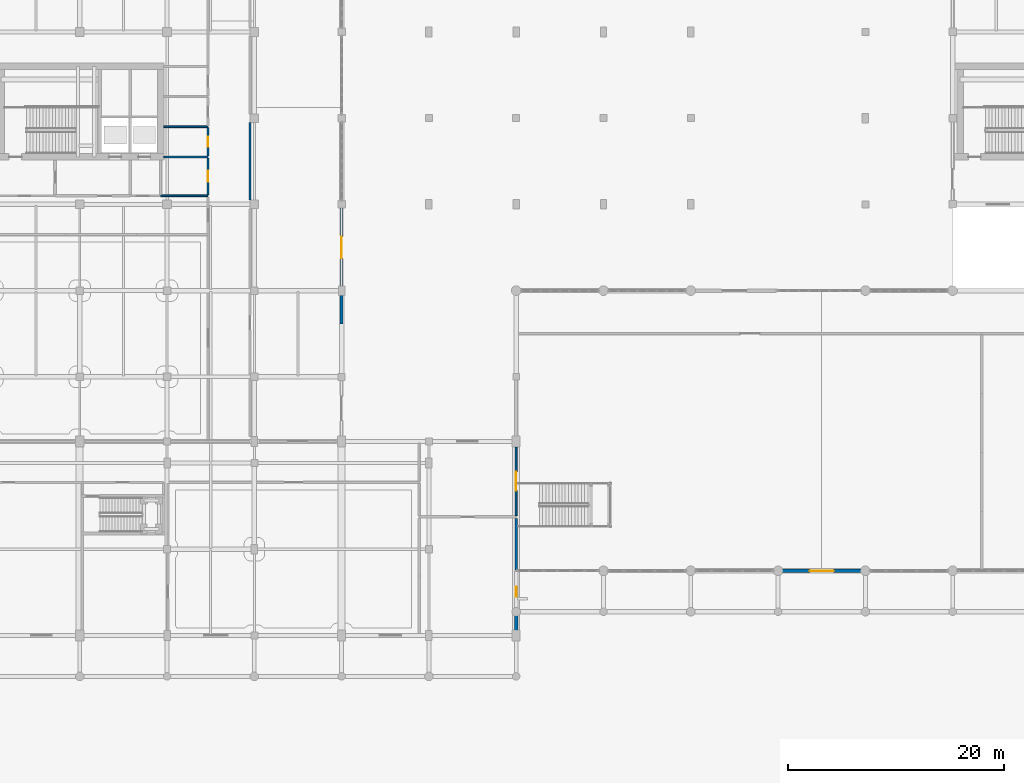
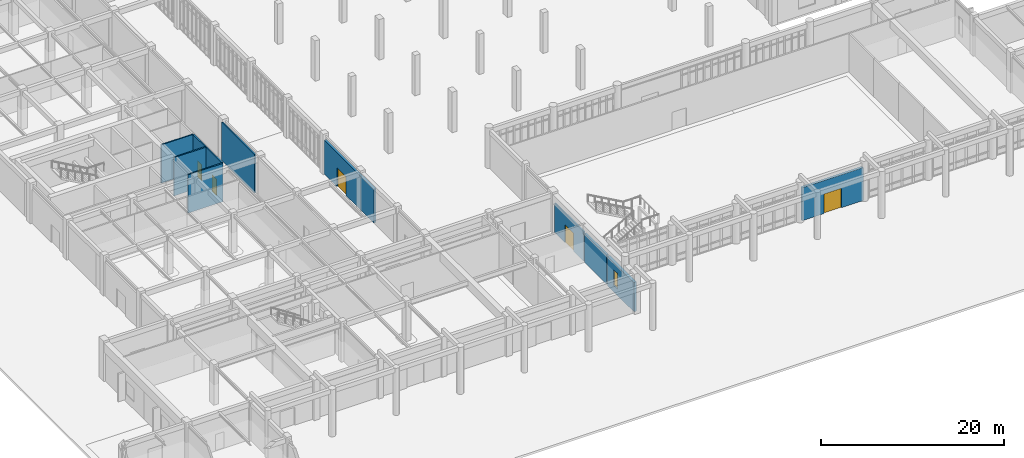
# One storey, part 43 of 62: 11 walls, 5 doors, 1 window, 6 openings.
"""IFC4 building model written with IfcOpenShell, lengths in metres."""

from ifc_helpers import new_model, si_unit, direction, frame, frame_2d, origin, place, context, subcontext, project, spatial, rectangle, extrude, material, layer, layer_set, type_object, element, fill, save


model = new_model("IFC4")

# Units and contexts
model_context = context("Model", 3, precision=1e-05, world=origin(), true_north=direction((0.0, 1.0)))
body_context = subcontext(model_context, "Body", "Model", "MODEL_VIEW")
ifc_project = project(units=[si_unit("LENGTHUNIT", "METRE"), si_unit("AREAUNIT", "SQUARE_METRE"), si_unit("VOLUMEUNIT", "CUBIC_METRE"), si_unit("PLANEANGLEUNIT", "RADIAN"), si_unit("MASSUNIT", "GRAM", prefix="KILO")], contexts=[model_context])

# Site, building, storey
site_placement = place(None, origin())
site = spatial("IfcSite", under=ifc_project, at=site_placement, CompositionType="ELEMENT")
building_placement = place(site_placement, origin())
building = spatial("IfcBuilding", under=site, at=building_placement, Name="Tarnveldt Square Police Headquarters", CompositionType="ELEMENT")
storey_placement = place(building_placement, origin())
storey = spatial("IfcBuildingStorey", under=building, at=storey_placement, Name="L00", CompositionType="ELEMENT", Elevation=0.0)

# Wall, opening, window
ifc_material_1 = material(Name="Concrete 40 MPa", Category="concrete")
ifc_layer_1 = layer(ifc_material_1, 0.320068359375)
ifc_layer_set_1 = layer_set([ifc_layer_1], Name="Concrete 40 MPa")
wall_type_1 = type_object("IfcWallType", Name="WL-EXT-BH320", PredefinedType="SOLIDWALL", material=ifc_layer_set_1)
wall_1_placement = place(storey_placement, frame((64.800048828125, 16.0, 0.0), z_axis=(0.0, 0.0, 1.0), x_axis=(0.0, 1.0, 0.0)))
wall_1 = element("IfcWall", 1, at=wall_1_placement, inside=storey, type_object=wall_type_1, Name="L00 Brutalist Exterior Wall 0007", PredefinedType="SOLIDWALL", context=body_context, shape_type="SweptSolid", body=[
    extrude(rectangle(XDim=5.820068359375, YDim=0.320068359375, at=frame_2d((2.91015625, 0.0))), origin(), (0.0, 0.0, 1.0), 3.912109375),
])
opening_1_placement = place(wall_1_placement, frame((3.60009765625, 0.0, 0.85009765625)))
opening_1 = element("IfcOpeningElement", 2, at=opening_1_placement, cuts=wall_1, Name="Opening W02", PredefinedType="OPENING", context=body_context, shape_type="SweptSolid", body=[
    extrude(rectangle(XDim=0.89990234375, YDim=2.10009765625, at=frame_2d((0.449951171875, 1.050048828125))), frame((0.0, 0.169921875, 0.0), z_axis=(0.0, -1.0, 0.0), x_axis=(1.0, 0.0, 0.0)), (0.0, 0.0, 1.0), 0.340087890625),
])
ifc_material_2 = material(Name="Triple-glazed low-e laminated vision glass", Category="glass")
window_type = type_object("IfcWindowType", Name="WIN-DR-090x210", PartitioningType="SINGLE_PANEL", PredefinedType="WINDOW", material=ifc_material_2)
window_placement = place(opening_1_placement, origin())
window = element("IfcWindow", 3, at=window_placement, inside=storey, type_object=window_type, Name="L00 Deep-Reveal Brutalist Window 0002", OverallHeight=2.10009765625, OverallWidth=0.89990234375, PartitioningType="SINGLE_PANEL", PredefinedType="WINDOW", context=body_context, shape_type="SweptSolid", body=[
    extrude(rectangle(XDim=0.89990234375, YDim=2.10009765625, at=frame_2d((0.449951171875, 1.050048828125))), frame((0.0, 0.030029296875, 0.0), z_axis=(0.0, -1.0, 0.0), x_axis=(1.0, 0.0, 0.0)), (0.0, 0.0, 1.0), 0.06005859375),
])
fill(opening_1, window)

# Wall, opening, door
ifc_material_3 = material(Name="Manganese ironspot clay brick masonry 20 MPa", Category="masonry")
ifc_layer_2 = layer(ifc_material_3, 0.300048828125)
ifc_layer_set_2 = layer_set([ifc_layer_2], Name="Manganese ironspot clay brick masonry 20 MPa")
wall_type_2 = type_object("IfcWallType", Name="WL-EXT-BRK300", PredefinedType="SOLIDWALL", material=ifc_layer_set_2)
wall_2_placement = place(storey_placement, frame((89.280029296875, 22.0, 0.0), z_axis=(0.0, 0.0, 1.0), x_axis=(1.0, 0.0, 0.0)))
wall_2 = element("IfcWall", 4, at=wall_2_placement, inside=storey, type_object=wall_type_2, Name="L00 Brutalist Exterior Wall 0008", PredefinedType="SOLIDWALL", context=body_context, shape_type="SweptSolid", body=[
    extrude(rectangle(XDim=7.739990234375, YDim=0.300048828125, at=frame_2d((3.8701171875, 0.0))), origin(), (0.0, 0.0, 1.0), 4.412109375),
])
opening_2_placement = place(wall_2_placement, frame((2.77001953125, 0.0, 0.0)))
opening_2 = element("IfcOpeningElement", 5, at=opening_2_placement, cuts=wall_2, Name="Opening D-E06", PredefinedType="OPENING", context=body_context, shape_type="SweptSolid", body=[
    extrude(rectangle(XDim=2.199951171875, YDim=2.60009765625, at=frame_2d((1.10009765625, 1.300048828125))), frame((0.0, 0.159912109375, 0.0), z_axis=(0.0, -1.0, 0.0), x_axis=(1.0, 0.0, 0.0)), (0.0, 0.0, 1.0), 0.320068359375),
])
ifc_material_4 = material(Name="Thermally broken anodised aluminium 6063-T6", Category="aluminium")
door_type_1 = type_object("IfcDoorType", Name="DR-EXIT-2200", OperationType="DOUBLE_DOOR_SINGLE_SWING", PredefinedType="DOOR", material=ifc_material_4)
door_1_placement = place(opening_2_placement, frame((2.199951171875, 0.0, 0.0), z_axis=(0.0, 0.0, 1.0), x_axis=(-1.0, 0.0, 0.0)))
door_1 = element("IfcDoor", 6, at=door_1_placement, inside=storey, type_object=door_type_1, Name="Pedestrian Grade Final Exit Door D-E06", OperationType="DOUBLE_DOOR_SINGLE_SWING", OverallHeight=2.60009765625, OverallWidth=2.199951171875, PredefinedType="DOOR", context=body_context, shape_type="SweptSolid", body=[
    extrude(rectangle(XDim=2.199951171875, YDim=2.60009765625, at=frame_2d((1.10009765625, 1.300048828125))), frame((0.0, 0.02490234375, 0.0), z_axis=(0.0, -1.0, 0.0), x_axis=(1.0, 0.0, 0.0)), (0.0, 0.0, 1.0), 0.050048828125),
])
fill(opening_2, door_1)

wall_3_placement = place(storey_placement, frame((48.60009765625, 44.909912109375, 0.0), z_axis=(0.0, 0.0, 1.0), x_axis=(0.0, 1.0, 0.0)))
wall_3 = element("IfcWall", 7, at=wall_3_placement, inside=storey, type_object=wall_type_2, Name="L00 Brutalist Exterior Wall 0029", PredefinedType="SOLIDWALL", context=body_context, shape_type="SweptSolid", body=[
    extrude(rectangle(XDim=10.91015625, YDim=0.300048828125, at=frame_2d((5.455078125, 0.0))), origin(), (0.0, 0.0, 1.0), 4.511962890625),
])
opening_3_placement = place(wall_3_placement, frame((6.091552734375, 0.0, 0.0)))
opening_3 = element("IfcOpeningElement", 8, at=opening_3_placement, cuts=wall_3, Name="Opening D-E13", PredefinedType="OPENING", context=body_context, shape_type="SweptSolid", body=[
    extrude(rectangle(XDim=2.0, YDim=2.5, at=frame_2d((1.0, 1.25))), frame((0.0, 0.159912109375, 0.0), z_axis=(0.0, -1.0, 0.0), x_axis=(1.0, 0.0, 0.0)), (0.0, 0.0, 1.0), 0.320068359375),
])
door_type_2 = type_object("IfcDoorType", Name="DR-EXIT-2000", OperationType="DOUBLE_DOOR_SINGLE_SWING", PredefinedType="DOOR", material=ifc_material_4)
door_2_placement = place(opening_3_placement, frame((2.0, 0.0, 0.0), z_axis=(0.0, 0.0, 1.0), x_axis=(-1.0, 0.0, 0.0)))
door_2 = element("IfcDoor", 9, at=door_2_placement, inside=storey, type_object=door_type_2, Name="Pedestrian Grade Final Exit Door D-E13", OperationType="DOUBLE_DOOR_SINGLE_SWING", OverallHeight=2.5, OverallWidth=2.0, PredefinedType="DOOR", context=body_context, shape_type="SweptSolid", body=[
    extrude(rectangle(XDim=2.0, YDim=2.5, at=frame_2d((1.0, 1.25))), frame((0.0, 0.02490234375, 0.0), z_axis=(0.0, -1.0, 0.0), x_axis=(1.0, 0.0, 0.0)), (0.0, 0.0, 1.0), 0.050048828125),
])
fill(opening_3, door_2)

# Walls
ifc_material_5 = material(Name="Fire-rated Type X gypsum board on steel studs", Category="steel")
ifc_layer_3 = layer(ifc_material_5, 0.179931640625)
ifc_layer_set_3 = layer_set([ifc_layer_3], Name="Fire-rated Type X gypsum board on steel studs")
wall_type_3 = type_object("IfcWallType", Name="WL-FIRE-180", PredefinedType="PARTITIONING", material=ifc_layer_set_3)
wall_4_placement = place(storey_placement, frame((31.800048828125, 56.800048828125, 0.0), z_axis=(0.0, 0.0, 1.0), x_axis=(1.0, 0.0, 0.0)))
element("IfcWall", 10, at=wall_4_placement, inside=storey, type_object=wall_type_3, Name="L00 Interior Partition Wall 0121", PredefinedType="PARTITIONING", context=body_context, shape_type="SweptSolid", body=[
    extrude(rectangle(XDim=4.39990234375, YDim=0.179931640625, at=frame_2d((2.199951171875, 0.0))), origin(), (0.0, 0.0, 1.0), 5.1201171875),
])
wall_5_placement = place(storey_placement, frame((32.10009765625, 60.39990234375, 0.0), z_axis=(0.0, 0.0, 1.0), x_axis=(1.0, 0.0, 0.0)))
element("IfcWall", 11, at=wall_5_placement, inside=storey, type_object=wall_type_3, Name="L00 Interior Partition Wall 0122", PredefinedType="PARTITIONING", context=body_context, shape_type="SweptSolid", body=[
    extrude(rectangle(XDim=4.099853515625, YDim=0.179931640625, at=frame_2d((2.0498046875, 0.0))), origin(), (0.0, 0.0, 1.0), 5.1201171875),
])

# Wall, opening, door
wall_6_placement = place(storey_placement, frame((36.199951171875, 56.89794921875, 0.0), z_axis=(0.0, 0.0, 1.0), x_axis=(0.0, 1.0, 0.0)))
wall_6 = element("IfcWall", 12, at=wall_6_placement, inside=storey, type_object=wall_type_3, Name="L00 Interior Partition Wall 0157", PredefinedType="PARTITIONING", context=body_context, shape_type="SweptSolid", body=[
    extrude(rectangle(XDim=3.404052734375, YDim=0.179931640625, at=frame_2d((1.7021484375, 0.0))), origin(), (0.0, 0.0, 1.0), 5.1201171875),
])
opening_4_placement = place(wall_6_placement, frame((1.201904296875, 0.0, 0.0)))
opening_4 = element("IfcOpeningElement", 13, at=opening_4_placement, cuts=wall_6, Name="Opening D14", PredefinedType="OPENING", context=body_context, shape_type="SweptSolid", body=[
    extrude(rectangle(XDim=1.0, YDim=2.14990234375, at=frame_2d((0.5, 1.074951171875))), frame((0.0, 0.099853515625, 0.0), z_axis=(0.0, -1.0, 0.0), x_axis=(1.0, 0.0, 0.0)), (0.0, 0.0, 1.0), 0.199951171875),
])
ifc_material_6 = material(Name="Insulated hollow metal steel door leaf", Category="steel")
door_type_3 = type_object("IfcDoorType", Name="DR-FD60-1000", OperationType="NOTDEFINED", PredefinedType="DOOR", material=ifc_material_6)
door_3_placement = place(opening_4_placement, origin())
door_3 = element("IfcDoor", 14, at=door_3_placement, inside=storey, type_object=door_type_3, Name="Electrical Distribution Room L00 Door", OperationType="SINGLE_SWING_RIGHT", OverallHeight=2.14990234375, OverallWidth=1.0, PredefinedType="DOOR", context=body_context, shape_type="SweptSolid", body=[
    extrude(rectangle(XDim=1.0, YDim=2.14990234375, at=frame_2d((0.5, 1.074951171875))), frame((0.0, 0.02490234375, 0.0), z_axis=(0.0, -1.0, 0.0), x_axis=(1.0, 0.0, 0.0)), (0.0, 0.0, 1.0), 0.050048828125),
])
fill(opening_4, door_3)

wall_7_placement = place(storey_placement, frame((36.199951171875, 60.498046875, 0.0), z_axis=(0.0, 0.0, 1.0), x_axis=(0.0, 1.0, 0.0)))
wall_7 = element("IfcWall", 15, at=wall_7_placement, inside=storey, type_object=wall_type_3, Name="L00 Interior Partition Wall 0158", PredefinedType="PARTITIONING", context=body_context, shape_type="SweptSolid", body=[
    extrude(rectangle(XDim=2.614013671875, YDim=0.179931640625, at=frame_2d((1.30712890625, 0.0))), origin(), (0.0, 0.0, 1.0), 5.1201171875),
])
opening_5_placement = place(wall_7_placement, frame((0.83203125, 0.0, 0.0)))
opening_5 = element("IfcOpeningElement", 16, at=opening_5_placement, cuts=wall_7, Name="Opening D02", PredefinedType="OPENING", context=body_context, shape_type="SweptSolid", body=[
    extrude(rectangle(XDim=0.949951171875, YDim=2.10009765625, at=frame_2d((0.47509765625, 1.050048828125))), frame((0.0, 0.099853515625, 0.0), z_axis=(0.0, -1.0, 0.0), x_axis=(1.0, 0.0, 0.0)), (0.0, 0.0, 1.0), 0.199951171875),
])
ifc_material_7 = material(Name="Solid core architectural birch door leaf", Category="wood")
door_type_4 = type_object("IfcDoorType", Name="DR-WC-950", OperationType="NOTDEFINED", PredefinedType="DOOR", material=ifc_material_7)
door_4_placement = place(opening_5_placement, origin())
door_4 = element("IfcDoor", 17, at=door_4_placement, inside=storey, type_object=door_type_4, Name="Men Washroom L00 Door", OperationType="SINGLE_SWING_LEFT", OverallHeight=2.10009765625, OverallWidth=0.949951171875, PredefinedType="DOOR", context=body_context, shape_type="SweptSolid", body=[
    extrude(rectangle(XDim=0.949951171875, YDim=2.10009765625, at=frame_2d((0.47509765625, 1.050048828125))), frame((0.0, 0.02490234375, 0.0), z_axis=(0.0, -1.0, 0.0), x_axis=(1.0, 0.0, 0.0)), (0.0, 0.0, 1.0), 0.050048828125),
])
fill(opening_5, door_4)

# Wall
wall_8_placement = place(storey_placement, frame((40.10009765625, 56.407958984375, 0.0), z_axis=(0.0, 0.0, 1.0), x_axis=(0.0, 1.0, 0.0)))
element("IfcWall", 18, at=wall_8_placement, inside=storey, type_object=wall_type_3, Name="L00 Interior Partition Wall 0166", PredefinedType="PARTITIONING", context=body_context, shape_type="SweptSolid", body=[
    extrude(rectangle(XDim=7.18408203125, YDim=0.179931640625, at=frame_2d((3.592041015625, 0.0))), origin(), (0.0, 0.0, 1.0), 5.1201171875),
])

# Wall, opening, door
wall_9_placement = place(storey_placement, frame((64.800048828125, 27.1279296875, 0.0), z_axis=(0.0, 0.0, 1.0), x_axis=(0.0, 1.0, 0.0)))
wall_9 = element("IfcWall", 19, at=wall_9_placement, inside=storey, type_object=wall_type_3, Name="L00 Interior Partition Wall 0184", PredefinedType="PARTITIONING", context=body_context, shape_type="SweptSolid", body=[
    extrude(rectangle(XDim=6.364013671875, YDim=0.179931640625, at=frame_2d((3.18212890625, 0.0))), origin(), (0.0, 0.0, 1.0), 3.912109375),
])
opening_6_placement = place(wall_9_placement, frame((2.281982421875, 0.0, 0.0)))
opening_6 = element("IfcOpeningElement", 20, at=opening_6_placement, cuts=wall_9, Name="Opening D24", PredefinedType="OPENING", context=body_context, shape_type="SweptSolid", body=[
    extrude(rectangle(XDim=1.800048828125, YDim=2.39990234375, at=frame_2d((0.89990234375, 1.199951171875))), frame((0.0, 0.099853515625, 0.0), z_axis=(0.0, -1.0, 0.0), x_axis=(1.0, 0.0, 0.0)), (0.0, 0.0, 1.0), 0.199951171875),
])
door_type_5 = type_object("IfcDoorType", Name="DR-PAIR-1800", OperationType="DOUBLE_DOOR_SINGLE_SWING", PredefinedType="DOOR", material=ifc_material_6)
door_5_placement = place(opening_6_placement, origin())
door_5 = element("IfcDoor", 21, at=door_5_placement, inside=storey, type_object=door_type_5, Name="Front Counter East Vestibule Corridor Door", OperationType="DOUBLE_DOOR_SINGLE_SWING", OverallHeight=2.39990234375, OverallWidth=1.800048828125, PredefinedType="DOOR", context=body_context, shape_type="SweptSolid", body=[
    extrude(rectangle(XDim=1.800048828125, YDim=2.39990234375, at=frame_2d((0.89990234375, 1.199951171875))), frame((0.0, 0.02490234375, 0.0), z_axis=(0.0, -1.0, 0.0), x_axis=(1.0, 0.0, 0.0)), (0.0, 0.0, 1.0), 0.050048828125),
])
fill(opening_6, door_5)

# Walls
ifc_material_8 = material(Name="Concrete block masonry 15 MPa", Category="masonry")
ifc_layer_4 = layer(ifc_material_8, 0.239990234375)
ifc_layer_set_4 = layer_set([ifc_layer_4], Name="Concrete block masonry 15 MPa")
wall_type_4 = type_object("IfcWallType", Name="WL-FIRE-240", PredefinedType="PARTITIONING", material=ifc_layer_set_4)
wall_10_placement = place(storey_placement, frame((64.800048828125, 22.06494140625, 0.0), z_axis=(0.0, 0.0, 1.0), x_axis=(0.0, 1.0, 0.0)))
element("IfcWall", 22, at=wall_10_placement, inside=storey, type_object=wall_type_4, Name="L00 Interior Partition Wall 0183", PredefinedType="PARTITIONING", context=body_context, shape_type="SweptSolid", body=[
    extrude(rectangle(XDim=4.80712890625, YDim=0.239990234375, at=frame_2d((2.403564453125, 0.0))), origin(), (0.0, 0.0, 1.0), 3.912109375),
])
ifc_layer_5 = layer(ifc_material_8, 0.159912109375)
ifc_layer_set_5 = layer_set([ifc_layer_5], Name="Concrete block masonry 15 MPa")
wall_type_5 = type_object("IfcWallType", Name="WL-WET-160", PredefinedType="PARTITIONING", material=ifc_layer_set_5)
wall_11_placement = place(storey_placement, frame((32.10791015625, 63.199951171875, 0.0), z_axis=(0.0, 0.0, 1.0), x_axis=(1.0, 0.0, 0.0)))
element("IfcWall", 23, at=wall_11_placement, inside=storey, type_object=wall_type_5, Name="L00 Interior Partition Wall 0123", PredefinedType="PARTITIONING", context=body_context, shape_type="SweptSolid", body=[
    extrude(rectangle(XDim=4.092041015625, YDim=0.159912109375, at=frame_2d((2.0458984375, 0.0))), origin(), (0.0, 0.0, 1.0), 5.1201171875),
])

save(model, "model.ifc")
